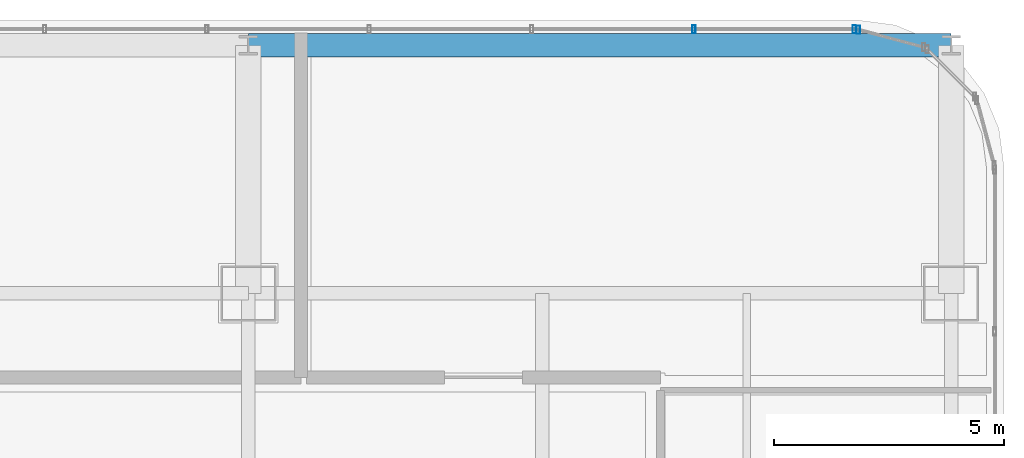
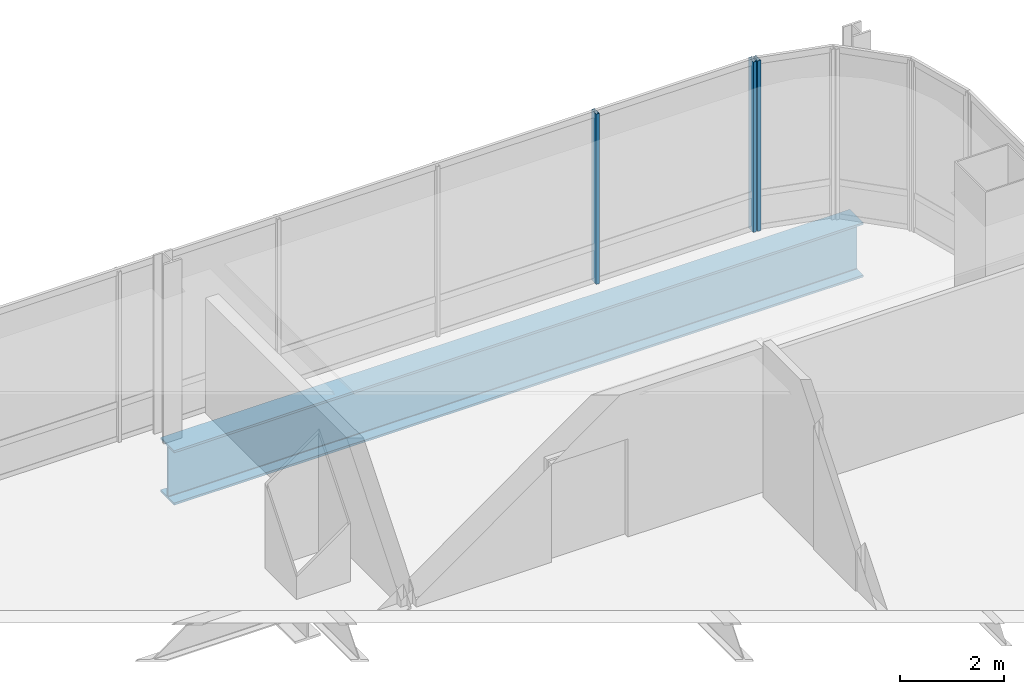
# One storey, part 30 of 42: 3 members, 1 beam, 2 elements without a shape of their own.
"""IFC4 building model written with IfcOpenShell, lengths in metres."""

from ifc_helpers import new_model, si_unit, direction, frame, origin, origin_2d, place, context, subcontext, project, spatial, hollow_rectangle, i_section, extrude, material, material_profile, profile_set, type_object, element, aggregate, save


model = new_model("IFC4")

# Units and contexts
model_context = context("Model", 3, precision=1e-05, world=origin(), true_north=direction((0.0, 1.0)))
body_context = subcontext(model_context, "Body", "Model", "MODEL_VIEW")
ifc_project = project(units=[si_unit("LENGTHUNIT", "METRE"), si_unit("AREAUNIT", "SQUARE_METRE"), si_unit("VOLUMEUNIT", "CUBIC_METRE"), si_unit("PLANEANGLEUNIT", "RADIAN"), si_unit("MASSUNIT", "GRAM", prefix="KILO")], contexts=[model_context])

# Site, building, storey
site_placement = place(None, origin())
site = spatial("IfcSite", under=ifc_project, at=site_placement, CompositionType="ELEMENT")
building_placement = place(site_placement, origin())
building = spatial("IfcBuilding", under=site, at=building_placement, Name="Punatoya Terracotta Tower", CompositionType="ELEMENT")
storey_placement = place(building_placement, frame((0.0, 0.0, 304.800048828125)))
storey = spatial("IfcBuildingStorey", under=building, at=storey_placement, Name="L72", CompositionType="ELEMENT", Elevation=304.800048828125)

# Beam
ifc_material_1 = material(Name="Steel S460", Category="steel")
ifc_material_profile_1 = material_profile(ifc_material_1, i_section(OverallWidth=0.52001953125, OverallDepth=1.280029296875, WebThickness=0.031982421875, FlangeThickness=0.050048828125, FilletRadius=0.01806640625, at=origin_2d()))
ifc_profile_set_1 = profile_set([ifc_material_profile_1], Name="Steel S460")
beam_type = type_object("IfcBeamType", Name="BM-TG-NCK", PredefinedType="BEAM", material=ifc_profile_set_1)
beam_placement = place(storey_placement, frame((3.800048828125, 22.89990234375, -0.840087890625), z_axis=(1.0, 0.0, 0.0), x_axis=(0.0, 1.0, 0.0)))
element("IfcBeam", 1, at=beam_placement, inside=storey, type_object=beam_type, Name="BM-L72-PER-N3", PredefinedType="BEAM", context=body_context, shape_type="SweptSolid", body=[
    extrude(i_section(OverallWidth=0.52001953125, OverallDepth=1.280029296875, WebThickness=0.031982421875, FlangeThickness=0.050048828125, FilletRadius=0.01806640625, at=origin_2d()), origin(), (0.0, 0.0, 1.0), 15.300048828125),
])

# Curtain wall, member
ifc_material_2 = material(Name="Aluminium 6063-T6 + Double Low-E Glass", Category="aluminium")
curtain_wall_type = type_object("IfcCurtainWallType", Name="CW-M3", PredefinedType="NOTDEFINED", material=ifc_material_2)
curtain_wall_1_placement = place(storey_placement, origin())
curtain_wall_1 = element("IfcCurtainWall", 2, at=curtain_wall_1_placement, inside=storey, type_object=curtain_wall_type, Name="L72 Curtain Wall CW-L72-CRN08", PredefinedType="NOTDEFINED")
ifc_material_3 = material(Name="Aluminium 6063-T6", Category="aluminium")
ifc_material_profile_2 = material_profile(ifc_material_3, hollow_rectangle(XDim=0.070068359375, YDim=0.179931640625, WallThickness=0.00390625, at=origin_2d()))
ifc_profile_set_2 = profile_set([ifc_material_profile_2], Name="Aluminium 6063-T6")
member_type = type_object("IfcMemberType", Name="CW-MUL-M3", PredefinedType="MULLION", material=ifc_profile_set_2)
member_1_placement = place(storey_placement, frame((17.080322265625, 23.23828125, 0.0), z_axis=(0.0, 0.0, 1.0), x_axis=(1.0, 0.0, 0.0)))
member_1 = element("IfcMember", 3, at=member_1_placement, type_object=member_type, Name="CW-L72-CRN08 Mullion 01", PredefinedType="MULLION", context=body_context, shape_type="SweptSolid", body=[
    extrude(hollow_rectangle(XDim=0.070068359375, YDim=0.179931640625, WallThickness=0.00390625, at=origin_2d()), origin(), (0.0, 0.0, 1.0), 4.0),
])
aggregate(curtain_wall_1, [member_1])

# Curtain wall, members
curtain_wall_2_placement = place(storey_placement, origin())
curtain_wall_2 = element("IfcCurtainWall", 4, at=curtain_wall_2_placement, inside=storey, type_object=curtain_wall_type, Name="L72 Curtain Wall CW-L72-N09-1", PredefinedType="NOTDEFINED")
member_2_placement = place(storey_placement, frame((16.991943359375, 23.25, 0.0), z_axis=(0.0, 0.0, 1.0), x_axis=(1.0, 0.0, 0.0)))
member_2 = element("IfcMember", 5, at=member_2_placement, type_object=member_type, Name="CW-L72-N09-1 Mullion 00", PredefinedType="MULLION", context=body_context, shape_type="SweptSolid", body=[
    extrude(hollow_rectangle(XDim=0.070068359375, YDim=0.179931640625, WallThickness=0.00390625, at=origin_2d()), origin(), (0.0, 0.0, 1.0), 4.0),
])
member_3_placement = place(storey_placement, frame((13.5029296875, 23.25, 0.0), z_axis=(0.0, 0.0, 1.0), x_axis=(1.0, 0.0, 0.0)))
member_3 = element("IfcMember", 6, at=member_3_placement, type_object=member_type, Name="CW-L72-N09-1 Mullion 01", PredefinedType="MULLION", context=body_context, shape_type="SweptSolid", body=[
    extrude(hollow_rectangle(XDim=0.070068359375, YDim=0.179931640625, WallThickness=0.00390625, at=origin_2d()), origin(), (0.0, 0.0, 1.0), 4.0),
])
aggregate(curtain_wall_2, [member_2, member_3])

save(model, "model.ifc")
